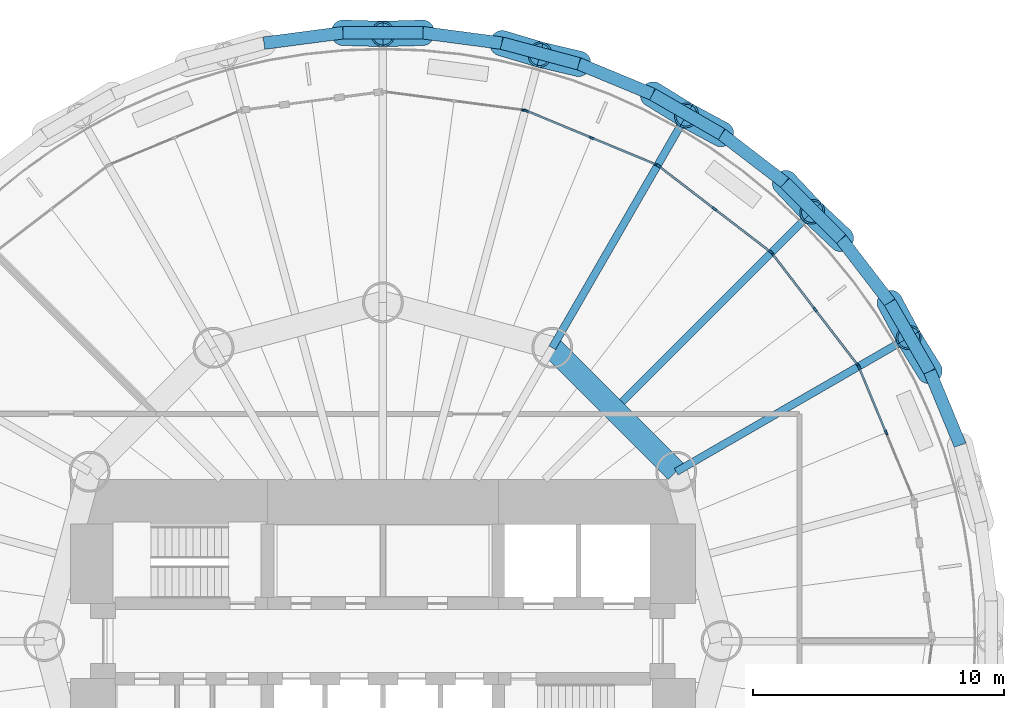
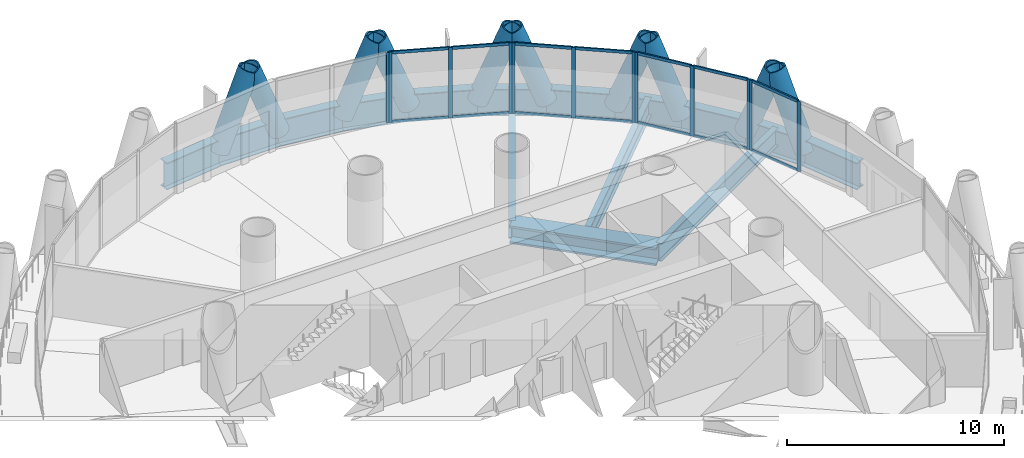
# One storey, part 7 of 15: 36 members, 15 beams, 5 elements without a shape of their own.
"""IFC4 building model written with IfcOpenShell, lengths in metres."""

from ifc_helpers import new_model, si_unit, direction, frame, origin, origin_2d, place, context, subcontext, project, spatial, rectangle, hollow_circle, i_section, extrude, material, material_profile, profile_set, type_object, element, aggregate, save


model = new_model("IFC4")

# Units and contexts
model_context = context("Model", 3, precision=1e-05, world=origin(), true_north=direction((0.0, 1.0)))
body_context = subcontext(model_context, "Body", "Model", "MODEL_VIEW")
ifc_project = project(units=[si_unit("LENGTHUNIT", "METRE"), si_unit("AREAUNIT", "SQUARE_METRE"), si_unit("VOLUMEUNIT", "CUBIC_METRE"), si_unit("PLANEANGLEUNIT", "RADIAN"), si_unit("MASSUNIT", "GRAM", prefix="KILO")], contexts=[model_context])

# Site, building, storey
site_placement = place(None, origin())
site = spatial("IfcSite", under=ifc_project, at=site_placement, CompositionType="ELEMENT")
building_placement = place(site_placement, origin())
building = spatial("IfcBuilding", under=site, at=building_placement, Name="Qaws Media Tower", CompositionType="ELEMENT")
storey_placement = place(building_placement, frame((0.0, 0.0, 189.800048828125)))
storey = spatial("IfcBuildingStorey", under=building, at=storey_placement, Name="L43", CompositionType="ELEMENT", Elevation=189.800048828125)

# Curtain wall, members
ifc_material_1 = material(Name="Aluminium and clear glass", Category="aluminium")
curtain_wall_type = type_object("IfcCurtainWallType", Name="Unitised curtain wall CW-B", PredefinedType="NOTDEFINED", material=ifc_material_1)
curtain_wall_1_placement = place(storey_placement, origin())
curtain_wall_1 = element("IfcCurtainWall", 1, at=curtain_wall_1_placement, inside=storey, type_object=curtain_wall_type, Name="CWB curtain wall L43-02", PredefinedType="NOTDEFINED")
ifc_material_2 = material(Name="Aluminium mullion", Category="aluminium")
ifc_material_profile_1 = material_profile(ifc_material_2, rectangle(XDim=0.080078125, YDim=0.199951171875, at=origin_2d()), Name="80x200")
ifc_profile_set_1 = profile_set([ifc_material_profile_1], Name="Aluminium mullion")
member_type_1 = type_object("IfcMemberType", Name="Curtain wall mullion 80x200", PredefinedType="MULLION", material=ifc_profile_set_1)
member_1_placement = place(storey_placement, frame((80.059814453125, 58.30908203125, 0.0), z_axis=(0.0, 0.0, 1.0), x_axis=(-0.923879488556, -0.382683538482, 0.0)))
member_1 = element("IfcMember", 2, at=member_1_placement, type_object=member_type_1, Name="CWB mullion 2", PredefinedType="MULLION", context=body_context, shape_type="SweptSolid", body=[
    extrude(rectangle(XDim=0.080078125, YDim=0.199951171875, at=origin_2d()), origin(), (0.0, 0.0, 1.0), 3.949951171875),
])
member_2_placement = place(storey_placement, frame((78.981201171875, 60.9130859375, 0.0), z_axis=(0.0, 0.0, 1.0), x_axis=(-0.923879488556, -0.382683538482, 0.0)))
member_2 = element("IfcMember", 3, at=member_2_placement, type_object=member_type_1, Name="CWB mullion 3", PredefinedType="MULLION", context=body_context, shape_type="SweptSolid", body=[
    extrude(rectangle(XDim=0.080078125, YDim=0.199951171875, at=origin_2d()), origin(), (0.0, 0.0, 1.0), 3.949951171875),
])

curtain_wall_2_placement = place(storey_placement, origin())
curtain_wall_2 = element("IfcCurtainWall", 4, at=curtain_wall_2_placement, inside=storey, type_object=curtain_wall_type, Name="CWB curtain wall L43-03", PredefinedType="NOTDEFINED")
member_3_placement = place(storey_placement, frame((78.941650390625, 60.981689453125, 0.0), z_axis=(0.0, 0.0, 1.0), x_axis=(-0.793353442715, -0.608761295527, 0.0)))
member_3 = element("IfcMember", 5, at=member_3_placement, type_object=member_type_1, Name="CWB mullion 1", PredefinedType="MULLION", context=body_context, shape_type="SweptSolid", body=[
    extrude(rectangle(XDim=0.080078125, YDim=0.199951171875, at=origin_2d()), origin(), (0.0, 0.0, 1.0), 3.949951171875),
])
member_4_placement = place(storey_placement, frame((77.225830078125, 63.2177734375, 0.0), z_axis=(0.0, 0.0, 1.0), x_axis=(-0.793353442715, -0.608761295527, 0.0)))
member_4 = element("IfcMember", 6, at=member_4_placement, type_object=member_type_1, Name="CWB mullion 2", PredefinedType="MULLION", context=body_context, shape_type="SweptSolid", body=[
    extrude(rectangle(XDim=0.080078125, YDim=0.199951171875, at=origin_2d()), origin(), (0.0, 0.0, 1.0), 3.949951171875),
])
member_5_placement = place(storey_placement, frame((75.510009765625, 65.453857421875, 0.0), z_axis=(0.0, 0.0, 1.0), x_axis=(-0.793353442715, -0.608761295527, 0.0)))
member_5 = element("IfcMember", 7, at=member_5_placement, type_object=member_type_1, Name="CWB mullion 3", PredefinedType="MULLION", context=body_context, shape_type="SweptSolid", body=[
    extrude(rectangle(XDim=0.080078125, YDim=0.199951171875, at=origin_2d()), origin(), (0.0, 0.0, 1.0), 3.949951171875),
])

curtain_wall_3_placement = place(storey_placement, origin())
curtain_wall_3 = element("IfcCurtainWall", 8, at=curtain_wall_3_placement, inside=storey, type_object=curtain_wall_type, Name="CWB curtain wall L43-04", PredefinedType="NOTDEFINED")
member_6_placement = place(storey_placement, frame((75.453857421875, 65.510009765625, 0.0), z_axis=(0.0, 0.0, 1.0), x_axis=(-0.608761295527, -0.793353442715, 0.0)))
member_6 = element("IfcMember", 9, at=member_6_placement, type_object=member_type_1, Name="CWB mullion 1", PredefinedType="MULLION", context=body_context, shape_type="SweptSolid", body=[
    extrude(rectangle(XDim=0.080078125, YDim=0.199951171875, at=origin_2d()), origin(), (0.0, 0.0, 1.0), 3.949951171875),
])
member_7_placement = place(storey_placement, frame((73.2177734375, 67.225830078125, 0.0), z_axis=(0.0, 0.0, 1.0), x_axis=(-0.608761295527, -0.793353442715, 0.0)))
member_7 = element("IfcMember", 10, at=member_7_placement, type_object=member_type_1, Name="CWB mullion 2", PredefinedType="MULLION", context=body_context, shape_type="SweptSolid", body=[
    extrude(rectangle(XDim=0.080078125, YDim=0.199951171875, at=origin_2d()), origin(), (0.0, 0.0, 1.0), 3.949951171875),
])
member_8_placement = place(storey_placement, frame((70.981689453125, 68.941650390625, 0.0), z_axis=(0.0, 0.0, 1.0), x_axis=(-0.608761295527, -0.793353442715, 0.0)))
member_8 = element("IfcMember", 11, at=member_8_placement, type_object=member_type_1, Name="CWB mullion 3", PredefinedType="MULLION", context=body_context, shape_type="SweptSolid", body=[
    extrude(rectangle(XDim=0.080078125, YDim=0.199951171875, at=origin_2d()), origin(), (0.0, 0.0, 1.0), 3.949951171875),
])

curtain_wall_4_placement = place(storey_placement, origin())
curtain_wall_4 = element("IfcCurtainWall", 12, at=curtain_wall_4_placement, inside=storey, type_object=curtain_wall_type, Name="CWB curtain wall L43-05", PredefinedType="NOTDEFINED")
member_9_placement = place(storey_placement, frame((70.9130859375, 68.981201171875, 0.0), z_axis=(0.0, 0.0, 1.0), x_axis=(-0.382683538482, -0.923879488556, 0.0)))
member_9 = element("IfcMember", 13, at=member_9_placement, type_object=member_type_1, Name="CWB mullion 1", PredefinedType="MULLION", context=body_context, shape_type="SweptSolid", body=[
    extrude(rectangle(XDim=0.080078125, YDim=0.199951171875, at=origin_2d()), origin(), (0.0, 0.0, 1.0), 3.949951171875),
])
member_10_placement = place(storey_placement, frame((68.30908203125, 70.059814453125, 0.0), z_axis=(0.0, 0.0, 1.0), x_axis=(-0.382683538482, -0.923879488556, 0.0)))
member_10 = element("IfcMember", 14, at=member_10_placement, type_object=member_type_1, Name="CWB mullion 2", PredefinedType="MULLION", context=body_context, shape_type="SweptSolid", body=[
    extrude(rectangle(XDim=0.080078125, YDim=0.199951171875, at=origin_2d()), origin(), (0.0, 0.0, 1.0), 3.949951171875),
])
member_11_placement = place(storey_placement, frame((65.705078125, 71.138427734375, 0.0), z_axis=(0.0, 0.0, 1.0), x_axis=(-0.382683538482, -0.923879488556, 0.0)))
member_11 = element("IfcMember", 15, at=member_11_placement, type_object=member_type_1, Name="CWB mullion 3", PredefinedType="MULLION", context=body_context, shape_type="SweptSolid", body=[
    extrude(rectangle(XDim=0.080078125, YDim=0.199951171875, at=origin_2d()), origin(), (0.0, 0.0, 1.0), 3.949951171875),
])

# Curtain wall, member
curtain_wall_5_placement = place(storey_placement, origin())
curtain_wall_5 = element("IfcCurtainWall", 16, at=curtain_wall_5_placement, inside=storey, type_object=curtain_wall_type, Name="CWB curtain wall L43-06", PredefinedType="NOTDEFINED")
member_12_placement = place(storey_placement, frame((65.62841796875, 71.158935546875, 0.0), z_axis=(0.0, 0.0, 1.0), x_axis=(-0.1305261247, -0.991444870263, 0.0)))
member_12 = element("IfcMember", 17, at=member_12_placement, type_object=member_type_1, Name="CWB mullion 1", PredefinedType="MULLION", context=body_context, shape_type="SweptSolid", body=[
    extrude(rectangle(XDim=0.080078125, YDim=0.199951171875, at=origin_2d()), origin(), (0.0, 0.0, 1.0), 3.949951171875),
])
aggregate(curtain_wall_5, [member_12])

# Member
ifc_material_3 = material(Name="Aluminium transom", Category="aluminium")
ifc_material_profile_2 = material_profile(ifc_material_3, rectangle(XDim=0.080078125, YDim=0.159912109375, at=origin_2d()), Name="80x160")
ifc_profile_set_2 = profile_set([ifc_material_profile_2], Name="Aluminium transom")
member_type_2 = type_object("IfcMemberType", Name="Curtain wall transom 80x160", PredefinedType="USERDEFINED", material=ifc_profile_set_2)
member_13_placement = place(storey_placement, frame((80.044677734375, 58.345947265625, 0.0400390625), z_axis=(-0.382721848562, 0.923863619066, 0.0), x_axis=(-0.923863619066, -0.382721848562, 0.0)))
member_13 = element("IfcMember", 18, at=member_13_placement, type_object=member_type_2, Name="CWB transom 2.1", ObjectType="TRANSOM", PredefinedType="USERDEFINED", context=body_context, shape_type="SweptSolid", body=[
    extrude(rectangle(XDim=0.080078125, YDim=0.159912109375, at=origin_2d()), origin(), (0.0, 0.0, 1.0), 2.738525390625),
])

member_14_placement = place(storey_placement, frame((80.044677734375, 58.345947265625, 3.909912109375), z_axis=(-0.382721848562, 0.923863619066, 0.0), x_axis=(-0.923863619066, -0.382721848562, 0.0)))
member_14 = element("IfcMember", 19, at=member_14_placement, type_object=member_type_2, Name="CWB transom 2.2", ObjectType="TRANSOM", PredefinedType="USERDEFINED", context=body_context, shape_type="SweptSolid", body=[
    extrude(rectangle(XDim=0.080078125, YDim=0.159912109375, at=origin_2d()), origin(), (0.0, 0.0, 1.0), 2.738525390625),
])

aggregate(curtain_wall_1, [member_1, member_2, member_13, member_14])

member_15_placement = place(storey_placement, frame((78.917236328125, 61.013427734375, 0.0400390625), z_axis=(-0.608736577842, 0.793372408644, 0.0), x_axis=(-0.793372408644, -0.608736577842, 0.0)))
member_15 = element("IfcMember", 20, at=member_15_placement, type_object=member_type_2, Name="CWB transom 1.1", ObjectType="TRANSOM", PredefinedType="USERDEFINED", context=body_context, shape_type="SweptSolid", body=[
    extrude(rectangle(XDim=0.080078125, YDim=0.159912109375, at=origin_2d()), origin(), (0.0, 0.0, 1.0), 2.738525390625),
])

member_16_placement = place(storey_placement, frame((78.917236328125, 61.013427734375, 3.909912109375), z_axis=(-0.608736577842, 0.793372408644, 0.0), x_axis=(-0.793372408644, -0.608736577842, 0.0)))
member_16 = element("IfcMember", 21, at=member_16_placement, type_object=member_type_2, Name="CWB transom 1.2", ObjectType="TRANSOM", PredefinedType="USERDEFINED", context=body_context, shape_type="SweptSolid", body=[
    extrude(rectangle(XDim=0.080078125, YDim=0.159912109375, at=origin_2d()), origin(), (0.0, 0.0, 1.0), 2.738525390625),
])

member_17_placement = place(storey_placement, frame((77.201416015625, 63.24951171875, 0.0400390625), z_axis=(-0.608736577842, 0.793372408644, 0.0), x_axis=(-0.793372408644, -0.608736577842, 0.0)))
member_17 = element("IfcMember", 22, at=member_17_placement, type_object=member_type_2, Name="CWB transom 2.1", ObjectType="TRANSOM", PredefinedType="USERDEFINED", context=body_context, shape_type="SweptSolid", body=[
    extrude(rectangle(XDim=0.080078125, YDim=0.159912109375, at=origin_2d()), origin(), (0.0, 0.0, 1.0), 2.738525390625),
])

member_18_placement = place(storey_placement, frame((77.201416015625, 63.24951171875, 3.909912109375), z_axis=(-0.608736577842, 0.793372408644, 0.0), x_axis=(-0.793372408644, -0.608736577842, 0.0)))
member_18 = element("IfcMember", 23, at=member_18_placement, type_object=member_type_2, Name="CWB transom 2.2", ObjectType="TRANSOM", PredefinedType="USERDEFINED", context=body_context, shape_type="SweptSolid", body=[
    extrude(rectangle(XDim=0.080078125, YDim=0.159912109375, at=origin_2d()), origin(), (0.0, 0.0, 1.0), 2.738525390625),
])

aggregate(curtain_wall_2, [member_3, member_4, member_5, member_15, member_16, member_17, member_18])

member_19_placement = place(storey_placement, frame((75.422119140625, 65.534423828125, 0.0400390625), z_axis=(-0.793372408644, 0.608736577842, 0.0), x_axis=(-0.608736577842, -0.793372408644, 0.0)))
member_19 = element("IfcMember", 24, at=member_19_placement, type_object=member_type_2, Name="CWB transom 1.1", ObjectType="TRANSOM", PredefinedType="USERDEFINED", context=body_context, shape_type="SweptSolid", body=[
    extrude(rectangle(XDim=0.080078125, YDim=0.159912109375, at=origin_2d()), origin(), (0.0, 0.0, 1.0), 2.738525390625),
])

member_20_placement = place(storey_placement, frame((75.422119140625, 65.534423828125, 3.909912109375), z_axis=(-0.793372408644, 0.608736577842, 0.0), x_axis=(-0.608736577842, -0.793372408644, 0.0)))
member_20 = element("IfcMember", 25, at=member_20_placement, type_object=member_type_2, Name="CWB transom 1.2", ObjectType="TRANSOM", PredefinedType="USERDEFINED", context=body_context, shape_type="SweptSolid", body=[
    extrude(rectangle(XDim=0.080078125, YDim=0.159912109375, at=origin_2d()), origin(), (0.0, 0.0, 1.0), 2.738525390625),
])

member_21_placement = place(storey_placement, frame((73.18603515625, 67.250244140625, 0.0400390625), z_axis=(-0.793372408644, 0.608736577842, 0.0), x_axis=(-0.608736577842, -0.793372408644, 0.0)))
member_21 = element("IfcMember", 26, at=member_21_placement, type_object=member_type_2, Name="CWB transom 2.1", ObjectType="TRANSOM", PredefinedType="USERDEFINED", context=body_context, shape_type="SweptSolid", body=[
    extrude(rectangle(XDim=0.080078125, YDim=0.159912109375, at=origin_2d()), origin(), (0.0, 0.0, 1.0), 2.738525390625),
])

member_22_placement = place(storey_placement, frame((73.18603515625, 67.250244140625, 3.909912109375), z_axis=(-0.793372408644, 0.608736577842, 0.0), x_axis=(-0.608736577842, -0.793372408644, 0.0)))
member_22 = element("IfcMember", 27, at=member_22_placement, type_object=member_type_2, Name="CWB transom 2.2", ObjectType="TRANSOM", PredefinedType="USERDEFINED", context=body_context, shape_type="SweptSolid", body=[
    extrude(rectangle(XDim=0.080078125, YDim=0.159912109375, at=origin_2d()), origin(), (0.0, 0.0, 1.0), 2.738525390625),
])

aggregate(curtain_wall_3, [member_6, member_7, member_8, member_19, member_20, member_21, member_22])

member_23_placement = place(storey_placement, frame((70.8759765625, 68.99658203125, 0.0400390625), z_axis=(-0.923863619066, 0.382721848562, 0.0), x_axis=(-0.382721848562, -0.923863619066, 0.0)))
member_23 = element("IfcMember", 28, at=member_23_placement, type_object=member_type_2, Name="CWB transom 1.1", ObjectType="TRANSOM", PredefinedType="USERDEFINED", context=body_context, shape_type="SweptSolid", body=[
    extrude(rectangle(XDim=0.080078125, YDim=0.159912109375, at=origin_2d()), origin(), (0.0, 0.0, 1.0), 2.738525390625),
])

member_24_placement = place(storey_placement, frame((70.8759765625, 68.99658203125, 3.909912109375), z_axis=(-0.923863619066, 0.382721848562, 0.0), x_axis=(-0.382721848562, -0.923863619066, 0.0)))
member_24 = element("IfcMember", 29, at=member_24_placement, type_object=member_type_2, Name="CWB transom 1.2", ObjectType="TRANSOM", PredefinedType="USERDEFINED", context=body_context, shape_type="SweptSolid", body=[
    extrude(rectangle(XDim=0.080078125, YDim=0.159912109375, at=origin_2d()), origin(), (0.0, 0.0, 1.0), 2.738525390625),
])

member_25_placement = place(storey_placement, frame((68.272216796875, 70.0751953125, 0.0400390625), z_axis=(-0.923908190995, 0.382614237336, 0.0), x_axis=(-0.382614237336, -0.923908190995, 0.0)))
member_25 = element("IfcMember", 30, at=member_25_placement, type_object=member_type_2, Name="CWB transom 2.1", ObjectType="TRANSOM", PredefinedType="USERDEFINED", context=body_context, shape_type="SweptSolid", body=[
    extrude(rectangle(XDim=0.080078125, YDim=0.159912109375, at=origin_2d()), origin(), (0.0, 0.0, 1.0), 2.73876953125),
])

member_26_placement = place(storey_placement, frame((68.272216796875, 70.0751953125, 3.909912109375), z_axis=(-0.923908190995, 0.382614237336, 0.0), x_axis=(-0.382614237336, -0.923908190995, 0.0)))
member_26 = element("IfcMember", 31, at=member_26_placement, type_object=member_type_2, Name="CWB transom 2.2", ObjectType="TRANSOM", PredefinedType="USERDEFINED", context=body_context, shape_type="SweptSolid", body=[
    extrude(rectangle(XDim=0.080078125, YDim=0.159912109375, at=origin_2d()), origin(), (0.0, 0.0, 1.0), 2.73876953125),
])

aggregate(curtain_wall_4, [member_9, member_10, member_11, member_23, member_24, member_25, member_26])

# Members
ifc_material_4 = material(Name="Steel S460", Category="steel")
ifc_material_profile_3 = material_profile(ifc_material_4, hollow_circle(Radius=0.508056640625, WallThickness=0.070068359375, at=origin_2d()), Name="CHS 1016x70")
ifc_profile_set_3 = profile_set([ifc_material_profile_3], Name="Steel S460")
member_type_3 = type_object("IfcMemberType", Name="Diagrid member CHS 1016x70", PredefinedType="USERDEFINED", material=ifc_profile_set_3)
for number, where, z_axis, x_axis, name in (
    (32, (81.7939453125, 60.74755859375, -0.91015625), (-0.189739933408, 0.306907804695, 0.932634096035), (-0.850575840925, -0.52585239263, 0.0), "DG3 diagrid L43 A02"),
    (33, (78.269775390625, 66.022216796875, -0.91015625), (-0.262703157273, 0.247302170828, 0.932646067628), (-0.685441328682, -0.72812786304, 0.0), "DG3 diagrid L43 A03"),
):
    element("IfcMember", number, at=place(storey_placement, frame(where, z_axis=z_axis, x_axis=x_axis)), inside=storey, type_object=member_type_3, Name=name, ObjectType="DIAGRID", PredefinedType="USERDEFINED", context=body_context, shape_type="SweptSolid", body=[
        extrude(hollow_circle(Radius=0.508056640625, WallThickness=0.070068359375, at=origin_2d()), origin(), (0.0, 0.0, 1.0), 4.406982421875),
    ])
for number, where, z_axis, x_axis, name in (
    (34, (80.204833984375, 63.500244140625, -0.91015625), (0.170854528949, -0.317720727472, 0.932664070967), (0.880732319402, 0.473614380652, 0.0), "DG3 diagrid L43 B03"),
    (35, (73.500244140625, 70.204833984375, -0.91015625), (-0.317720727472, 0.170854528949, 0.932664070967), (-0.473614380652, -0.880732319402, 0.0), "DG3 diagrid L43 A04"),
):
    element("IfcMember", number, at=place(storey_placement, frame(where, z_axis=z_axis, x_axis=x_axis)), inside=storey, type_object=member_type_3, Name=name, ObjectType="DIAGRID", PredefinedType="USERDEFINED", context=body_context, shape_type="SweptSolid", body=[
        extrude(hollow_circle(Radius=0.508056640625, WallThickness=0.070068359375, at=origin_2d()), origin(), (0.0, 0.0, 1.0), 4.40673828125),
    ])
for number, where, z_axis, x_axis, name in (
    (36, (76.022216796875, 68.269775390625, -0.91015625), (0.247302170828, -0.262703157273, 0.932646067628), (0.72812786304, 0.685441328682, 0.0), "DG3 diagrid L43 B04"),
    (37, (67.81103515625, 73.010498046875, -0.91015625), (-0.351173528591, 0.082821332267, 0.93264021988), (-0.229544227217, -0.973298231659, 0.0), "DG3 diagrid L43 A05"),
    (38, (70.74755859375, 71.7939453125, -0.91015625), (0.306907804695, -0.189739933408, 0.932634096035), (0.52585239263, 0.850575840925, 0.0), "DG3 diagrid L43 B05"),
    (39, (61.58935546875, 74.248046875, -0.91015625), (-0.360646204892, -0.010913564111, 0.932638841683), (0.030247290609, -0.999542446028, 0.0), "DG3 diagrid L43 A06"),
    (40, (64.74072265625, 73.8330078125, -0.91015625), (0.345525971194, -0.103818449578, 0.932648665231), (0.287756392194, 0.957703638268, 0.0), "DG3 diagrid L43 B06"),
    (41, (58.41064453125, 74.248046875, -0.91015625), (0.360646204892, -0.010913564111, 0.932638841683), (0.030247290609, 0.999542446028, 0.0), "DG3 diagrid L43 B07"),
):
    element("IfcMember", number, at=place(storey_placement, frame(where, z_axis=z_axis, x_axis=x_axis)), inside=storey, type_object=member_type_3, Name=name, ObjectType="DIAGRID", PredefinedType="USERDEFINED", context=body_context, shape_type="SweptSolid", body=[
        extrude(hollow_circle(Radius=0.508056640625, WallThickness=0.070068359375, at=origin_2d()), origin(), (0.0, 0.0, 1.0), 4.406982421875),
    ])

# Beams
ifc_material_5 = material(Name="Steel S460", Category="steel")
ifc_material_profile_4 = material_profile(ifc_material_5, i_section(OverallWidth=0.5, OverallDepth=1.5, WebThickness=0.02001953125, FlangeThickness=0.0400390625, at=origin_2d()), Name="PG 1500x500")
ifc_profile_set_4 = profile_set([ifc_material_profile_4], Name="Steel S460")
beam_type_1 = type_object("IfcBeamType", Name="Edge ring beam PG 1500x500", PredefinedType="BEAM", material=ifc_profile_set_4)
for number, where, z_axis, x_axis, name in (
    (42, (83.010498046875, 57.81103515625, -0.91015625), (-0.382738454719, 0.923856739586, 0.0), (-0.923856739586, -0.382738454719, 0.0), "RB4 edge ring beam L43-03"),
    (43, (81.7939453125, 60.74755859375, -0.91015625), (-0.499964035507, 0.866046166898, 0.0), (-0.866046166898, -0.499964035507, 0.0), "RB4 edge ring beam L43-04"),
):
    element("IfcBeam", number, at=place(storey_placement, frame(where, z_axis=z_axis, x_axis=x_axis)), inside=storey, type_object=beam_type_1, Name=name, PredefinedType="BEAM", context=body_context, shape_type="SweptSolid", body=[
        extrude(i_section(OverallWidth=0.5, OverallDepth=1.5, WebThickness=0.02001953125, FlangeThickness=0.0400390625, at=origin_2d()), origin(), (0.0, 0.0, 1.0), 3.178466796875),
    ])
beam_1_placement = place(storey_placement, frame((80.204833984375, 63.500244140625, -0.91015625), z_axis=(-0.608737849016, 0.7933714333, 0.0), x_axis=(-0.7933714333, -0.608737849016, 0.0)))
element("IfcBeam", 44, at=beam_1_placement, inside=storey, type_object=beam_type_1, Name="RB4 edge ring beam L43-05", PredefinedType="BEAM", context=body_context, shape_type="SweptSolid", body=[
    extrude(i_section(OverallWidth=0.5, OverallDepth=1.5, WebThickness=0.02001953125, FlangeThickness=0.0400390625, at=origin_2d()), origin(), (0.0, 0.0, 1.0), 3.1787109375),
])
beam_2_placement = place(storey_placement, frame((78.269775390625, 66.022216796875, -0.91015625), z_axis=(-0.707106781187, 0.707106781187, 0.0), x_axis=(-0.707106781187, -0.707106781187, 0.0)))
element("IfcBeam", 45, at=beam_2_placement, inside=storey, type_object=beam_type_1, Name="RB4 edge ring beam L43-06", PredefinedType="BEAM", context=body_context, shape_type="SweptSolid", body=[
    extrude(i_section(OverallWidth=0.5, OverallDepth=1.5, WebThickness=0.02001953125, FlangeThickness=0.0400390625, at=origin_2d()), origin(), (0.0, 0.0, 1.0), 3.178466796875),
])
beam_3_placement = place(storey_placement, frame((76.022216796875, 68.269775390625, -0.91015625), z_axis=(-0.7933714333, 0.608737849016, 0.0), x_axis=(-0.608737849016, -0.7933714333, 0.0)))
element("IfcBeam", 46, at=beam_3_placement, inside=storey, type_object=beam_type_1, Name="RB4 edge ring beam L43-07", PredefinedType="BEAM", context=body_context, shape_type="SweptSolid", body=[
    extrude(i_section(OverallWidth=0.5, OverallDepth=1.5, WebThickness=0.02001953125, FlangeThickness=0.0400390625, at=origin_2d()), origin(), (0.0, 0.0, 1.0), 3.1787109375),
])
for number, where, z_axis, x_axis, name in (
    (47, (73.500244140625, 70.204833984375, -0.91015625), (-0.866046166898, 0.499964035507, 0.0), (-0.499964035507, -0.866046166898, 0.0), "RB4 edge ring beam L43-08"),
    (48, (70.74755859375, 71.7939453125, -0.91015625), (-0.923856739586, 0.382738454719, 0.0), (-0.382738454719, -0.923856739586, 0.0), "RB4 edge ring beam L43-09"),
    (49, (67.81103515625, 73.010498046875, -0.91015625), (-0.965939824014, 0.258766799229, 0.0), (-0.258766799229, -0.965939824014, 0.0), "RB4 edge ring beam L43-10"),
    (50, (64.74072265625, 73.8330078125, -0.91015625), (-0.991438602588, 0.130573723613, 0.0), (-0.130573723613, -0.991438602588, 0.0), "RB4 edge ring beam L43-11"),
):
    element("IfcBeam", number, at=place(storey_placement, frame(where, z_axis=z_axis, x_axis=x_axis)), inside=storey, type_object=beam_type_1, Name=name, PredefinedType="BEAM", context=body_context, shape_type="SweptSolid", body=[
        extrude(i_section(OverallWidth=0.5, OverallDepth=1.5, WebThickness=0.02001953125, FlangeThickness=0.0400390625, at=origin_2d()), origin(), (0.0, 0.0, 1.0), 3.178466796875),
    ])
beam_4_placement = place(storey_placement, frame((61.58935546875, 74.248046875, -0.91015625), z_axis=(-1.0, 0.0, 0.0), x_axis=(0.0, -1.0, 0.0)))
element("IfcBeam", 51, at=beam_4_placement, inside=storey, type_object=beam_type_1, Name="RB4 edge ring beam L43-12", PredefinedType="BEAM", context=body_context, shape_type="SweptSolid", body=[
    extrude(i_section(OverallWidth=0.5, OverallDepth=1.5, WebThickness=0.02001953125, FlangeThickness=0.0400390625, at=origin_2d()), origin(), (0.0, 0.0, 1.0), 3.1787109375),
])
beam_5_placement = place(storey_placement, frame((58.41064453125, 74.248046875, -0.91015625), z_axis=(-0.991438602588, -0.130573723613, 0.0), x_axis=(0.130573723613, -0.991438602588, 0.0)))
element("IfcBeam", 52, at=beam_5_placement, inside=storey, type_object=beam_type_1, Name="RB4 edge ring beam L43-13", PredefinedType="BEAM", context=body_context, shape_type="SweptSolid", body=[
    extrude(i_section(OverallWidth=0.5, OverallDepth=1.5, WebThickness=0.02001953125, FlangeThickness=0.0400390625, at=origin_2d()), origin(), (0.0, 0.0, 1.0), 3.178466796875),
])
ifc_material_6 = material(Name="Steel S460", Category="steel")
ifc_material_profile_5 = material_profile(ifc_material_6, i_section(OverallWidth=0.89990234375, OverallDepth=1.0, WebThickness=0.044921875, FlangeThickness=0.110107421875, at=origin_2d()), Name="PG 1000x900")
ifc_profile_set_5 = profile_set([ifc_material_profile_5], Name="Steel S460")
beam_type_2 = type_object("IfcBeamType", Name="Inner ring girder PG 1000x900", PredefinedType="BEAM", material=ifc_profile_set_5)
beam_6_placement = place(storey_placement, frame((71.69140625, 56.75, -0.66015625), z_axis=(-0.707106781187, 0.707106781187, 0.0), x_axis=(-0.707106781187, -0.707106781187, 0.0)))
element("IfcBeam", 53, at=beam_6_placement, inside=storey, type_object=beam_type_2, Name="B3 inner ring beam L43 I02-I03", PredefinedType="BEAM", context=body_context, shape_type="SweptSolid", body=[
    extrude(i_section(OverallWidth=0.89990234375, OverallDepth=1.0, WebThickness=0.044921875, FlangeThickness=0.110107421875, at=origin_2d()), origin(), (0.0, 0.0, 1.0), 6.98828125),
])
ifc_material_7 = material(Name="Steel S355", Category="steel")
ifc_material_profile_6 = material_profile(ifc_material_7, i_section(OverallWidth=0.302001953125, OverallDepth=1.008056640625, WebThickness=0.02099609375, FlangeThickness=0.0400390625, FilletRadius=0.030029296875, at=origin_2d()), Name="HE 1000 M")
ifc_profile_set_6 = profile_set([ifc_material_profile_6], Name="Steel S355")
beam_type_3 = type_object("IfcBeamType", Name="Radial beam HE 1000 M", PredefinedType="BEAM", material=ifc_profile_set_6)
beam_7_placement = place(storey_placement, frame((71.69140625, 56.75, -0.6640625), z_axis=(0.866020279306, 0.500008875753, 0.0), x_axis=(-0.500008875753, 0.866020279306, 0.0)))
element("IfcBeam", 54, at=beam_7_placement, inside=storey, type_object=beam_type_3, Name="B1 radial beam L43 03", PredefinedType="BEAM", context=body_context, shape_type="SweptSolid", body=[
    extrude(i_section(OverallWidth=0.302001953125, OverallDepth=1.008056640625, WebThickness=0.02099609375, FlangeThickness=0.0400390625, FilletRadius=0.030029296875, at=origin_2d()), origin(), (0.0, 0.0, 1.0), 10.747802734375),
])
beam_8_placement = place(storey_placement, frame((69.538818359375, 59.538818359375, -0.6640625), z_axis=(0.707106781187, 0.707106781187, 0.0), x_axis=(-0.707106781187, 0.707106781187, 0.0)))
element("IfcBeam", 55, at=beam_8_placement, inside=storey, type_object=beam_type_3, Name="B1 radial beam L43 04", PredefinedType="BEAM", context=body_context, shape_type="SweptSolid", body=[
    extrude(i_section(OverallWidth=0.302001953125, OverallDepth=1.008056640625, WebThickness=0.02099609375, FlangeThickness=0.0400390625, FilletRadius=0.030029296875, at=origin_2d()), origin(), (0.0, 0.0, 1.0), 10.758056640625),
])
beam_9_placement = place(storey_placement, frame((66.75, 61.69140625, -0.6640625), z_axis=(0.500008875753, 0.866020279306, 0.0), x_axis=(-0.866020279306, 0.500008875753, 0.0)))
element("IfcBeam", 56, at=beam_9_placement, inside=storey, type_object=beam_type_3, Name="B1 radial beam L43 05", PredefinedType="BEAM", context=body_context, shape_type="SweptSolid", body=[
    extrude(i_section(OverallWidth=0.302001953125, OverallDepth=1.008056640625, WebThickness=0.02099609375, FlangeThickness=0.0400390625, FilletRadius=0.030029296875, at=origin_2d()), origin(), (0.0, 0.0, 1.0), 10.747802734375),
])

save(model, "model.ifc")
